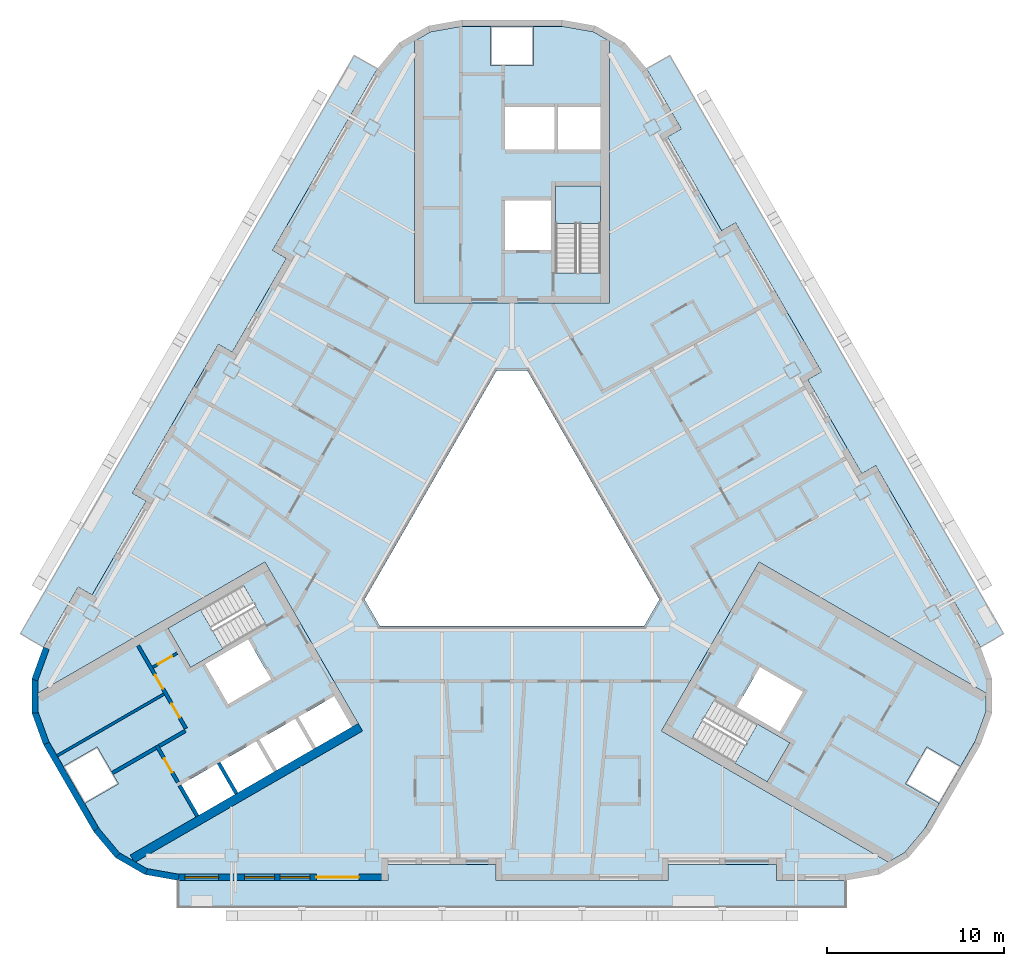
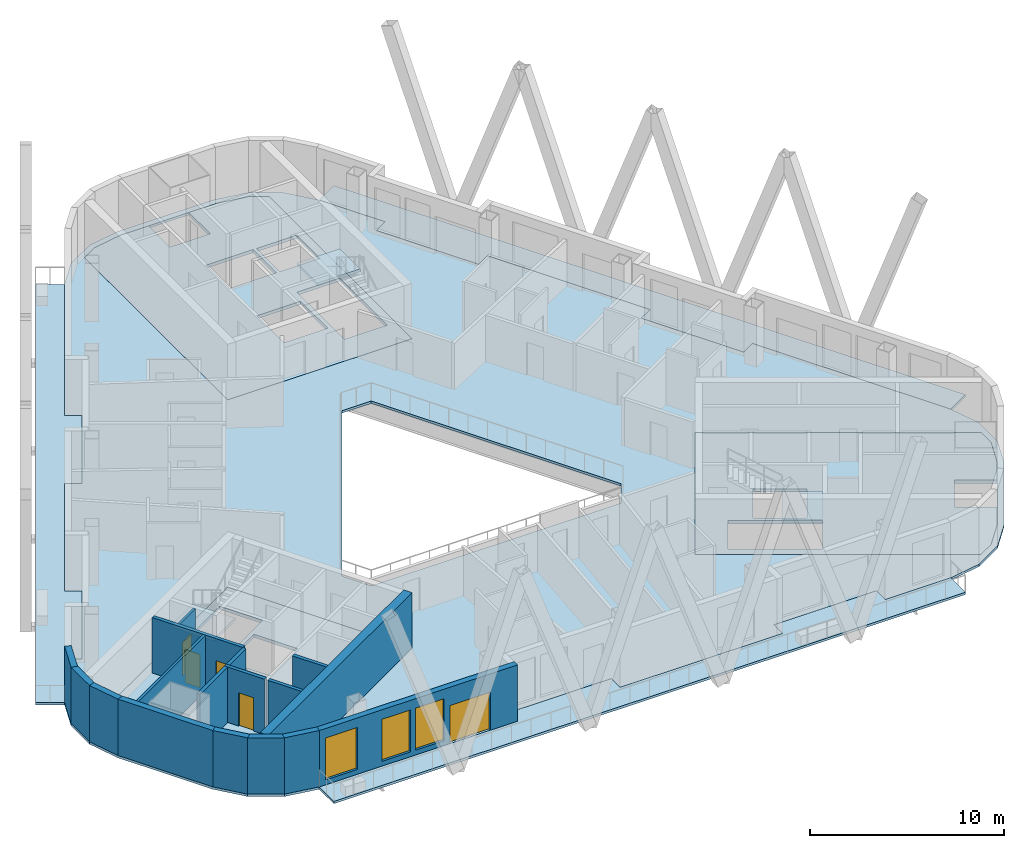
# One storey, part 2 of 14: 17 walls, 10 slabs, 5 doors, 3 windows, 8 openings, 3 elements without a shape of their own.
"""IFC4 building model written with IfcOpenShell, lengths in metres."""

from ifc_helpers import new_model, si_unit, direction, frame, frame_2d, origin, place, context, subcontext, project, spatial, polyline, rectangle, outline, extrude, material, layer, layer_set, type_object, element, fill, aggregate, save


model = new_model("IFC4")

# Units and contexts
model_context = context("Model", 3, precision=1e-05, world=origin(), true_north=direction((0.0, 1.0)))
body_context = subcontext(model_context, "Body", "Model", "MODEL_VIEW")
ifc_project = project(units=[si_unit("LENGTHUNIT", "METRE"), si_unit("AREAUNIT", "SQUARE_METRE"), si_unit("VOLUMEUNIT", "CUBIC_METRE"), si_unit("PLANEANGLEUNIT", "RADIAN"), si_unit("MASSUNIT", "GRAM", prefix="KILO")], contexts=[model_context])

# Site, building, storey
site_placement = place(None, origin())
site = spatial("IfcSite", under=ifc_project, at=site_placement, CompositionType="ELEMENT")
building_placement = place(site_placement, origin())
building = spatial("IfcBuilding", under=site, at=building_placement, Name="Apuvela Tower Hotel", CompositionType="ELEMENT")
storey_placement = place(building_placement, frame((0.0, 0.0, 202.10009765625)))
storey = spatial("IfcBuildingStorey", under=building, at=storey_placement, Name="L49", CompositionType="ELEMENT", Elevation=202.10009765625)

# Slabs
ifc_material_1 = material(Name="Concrete C50/60", Category="concrete")
ifc_layer_1 = layer(ifc_material_1, 0.199951171875)
ifc_layer_set_1 = layer_set([ifc_layer_1], Name="COR-FLOOR-200")
slab_type_1 = type_object("IfcSlabType", Name="COR-FLOOR-200", PredefinedType="FLOOR", material=ifc_layer_set_1)
slab_1_placement = place(storey_placement, frame((0.0, 0.0, -0.2001953125)))
element("IfcSlab", 1, at=slab_1_placement, inside=storey, type_object=slab_type_1, Name="Core floor N", PredefinedType="FLOOR", context=body_context, shape_type="SweptSolid", body=[
    extrude(outline(polyline([(5.5, 27.668212890625), (4.588623046875, 28.1943359375), (2.85498046875, 28.5), (1.199951171875, 28.5), (1.199951171875, 26.300048828125), (-1.199951171875, 26.300048828125), (-1.199951171875, 28.5), (-2.85498046875, 28.5), (-4.588623046875, 28.1943359375), (-5.5, 27.668212890625), (-5.5, 12.89990234375), (5.5, 12.89990234375), (5.5, 27.668212890625)]), holes=[polyline([(5.0, 14.60595703125), (2.449951171875, 14.60595703125), (2.449951171875, 19.5), (5.0, 19.5), (5.0, 14.60595703125)]), polyline([(2.199951171875, 15.89990234375), (-0.39990234375, 15.89990234375), (-0.39990234375, 18.699951171875), (2.199951171875, 18.699951171875), (2.199951171875, 15.89990234375)]), polyline([(5.0, 21.550048828125), (2.60009765625, 21.550048828125), (2.60009765625, 23.949951171875), (5.0, 23.949951171875), (5.0, 21.550048828125)]), polyline([(2.39990234375, 21.550048828125), (-0.39990234375, 21.550048828125), (-0.39990234375, 23.949951171875), (2.39990234375, 23.949951171875), (2.39990234375, 21.550048828125)])]), origin(), (0.0, 0.0, 1.0), 0.2001953125),
])
slab_2_placement = place(storey_placement, frame((0.0, 0.0, -0.2001953125)))
element("IfcSlab", 2, at=slab_2_placement, inside=storey, type_object=slab_type_1, Name="Core floor SW", PredefinedType="FLOOR", context=body_context, shape_type="SweptSolid", body=[
    extrude(outline(polyline([(-26.711181640625, -9.07080078125), (-26.711181640625, -10.123291015625), (-26.109375, -11.77734375), (-25.28173828125, -13.210693359375), (-23.37646484375, -12.11083984375), (-22.176513671875, -14.189208984375), (-24.081787109375, -15.289306640625), (-23.254150390625, -16.72265625), (-22.122802734375, -18.071044921875), (-21.211181640625, -18.59716796875), (-8.421630859375, -11.213134765625), (-13.921630859375, -1.68701171875), (-26.711181640625, -9.07080078125)]), holes=[polyline([(-10.01806640625, -9.248046875), (-9.01806640625, -10.97998046875), (-11.044677734375, -12.150146484375), (-12.044677734375, -10.418212890625), (-10.01806640625, -9.248046875)]), polyline([(-14.244384765625, -11.68798828125), (-12.2177734375, -10.51806640625), (-11.2177734375, -12.25), (-13.244384765625, -13.420166015625), (-14.244384765625, -11.68798828125)]), polyline([(-19.387451171875, -5.419921875), (-15.149169921875, -2.972900390625), (-13.874267578125, -5.18115234375), (-18.112548828125, -7.628173828125), (-19.387451171875, -5.419921875)]), polyline([(-14.869873046875, -6.044677734375), (-13.56982421875, -8.29638671875), (-15.99462890625, -9.6962890625), (-17.294677734375, -7.444580078125), (-14.869873046875, -6.044677734375)]), polyline([(-16.444091796875, -12.9580078125), (-14.41748046875, -11.7880859375), (-13.41748046875, -13.52001953125), (-15.444091796875, -14.690185546875), (-16.444091796875, -12.9580078125)]), polyline([(-18.643798828125, -14.22802734375), (-16.6171875, -13.05810546875), (-15.6171875, -14.7900390625), (-17.643798828125, -15.960205078125), (-18.643798828125, -14.22802734375)])]), origin(), (0.0, 0.0, 1.0), 0.2001953125),
])
slab_3_placement = place(storey_placement, frame((0.0, 0.0, -0.2001953125)))
element("IfcSlab", 3, at=slab_3_placement, inside=storey, type_object=slab_type_1, Name="Core floor SE", PredefinedType="FLOOR", context=body_context, shape_type="SweptSolid", body=[
    extrude(outline(polyline([(21.211181640625, -18.59716796875), (22.122802734375, -18.071044921875), (23.254150390625, -16.72265625), (24.081787109375, -15.289306640625), (22.176513671875, -14.189208984375), (23.37646484375, -12.11083984375), (25.28173828125, -13.210693359375), (26.109375, -11.77734375), (26.711181640625, -10.123291015625), (26.711181640625, -9.07080078125), (13.921630859375, -1.68701171875), (8.421630859375, -11.213134765625), (21.211181640625, -18.59716796875)]), holes=[polyline([(11.42431640625, -9.4248046875), (15.66259765625, -11.871826171875), (14.387451171875, -14.080078125), (10.149169921875, -11.633056640625), (11.42431640625, -9.4248046875)]), polyline([(13.9697265625, -7.603515625), (16.394775390625, -9.003662109375), (15.0947265625, -11.25537109375), (12.669921875, -9.855224609375), (13.9697265625, -7.603515625)])]), origin(), (0.0, 0.0, 1.0), 0.2001953125),
])

# Stair, slab
stair_type = type_object("IfcStairType", Name="COR-STAIR-22R", PredefinedType="HALF_TURN_STAIR", material=ifc_material_1)
stair_1_placement = place(storey_placement, origin())
stair_1 = element("IfcStair", 4, at=stair_1_placement, inside=storey, type_object=stair_type, Name="L49 Exit stair ST1", PredefinedType="HALF_TURN_STAIR")
ifc_layer_2 = layer(ifc_material_1, 0.199951171875)
ifc_layer_set_2 = layer_set([ifc_layer_2], Name="COR-LANDING-200")
slab_type_2 = type_object("IfcSlabType", Name="COR-LANDING-200", PredefinedType="LANDING", material=ifc_layer_set_2)
slab_4_placement = place(storey_placement, frame((0.0, 0.0, 1.64990234375)))
slab_4 = element("IfcSlab", 5, at=slab_4_placement, type_object=slab_type_2, Name="ST1 landing 1", PredefinedType="LANDING", context=body_context, shape_type="SweptSolid", body=[
    extrude(outline(polyline([(5.0, 17.39404296875), (5.0, 19.5), (2.449951171875, 19.5), (2.449951171875, 17.39404296875), (5.0, 17.39404296875)])), origin(), (0.0, 0.0, 1.0), 0.199951171875),
])
aggregate(stair_1, [slab_4])

stair_2_placement = place(storey_placement, origin())
stair_2 = element("IfcStair", 6, at=stair_2_placement, inside=storey, type_object=stair_type, Name="L49 Exit stair ST2", PredefinedType="HALF_TURN_STAIR")
slab_5_placement = place(storey_placement, frame((0.0, 0.0, 1.64990234375)))
slab_5 = element("IfcSlab", 7, at=slab_5_placement, type_object=slab_type_2, Name="ST2 landing 1", PredefinedType="LANDING", context=body_context, shape_type="SweptSolid", body=[
    extrude(outline(polyline([(-17.563720703125, -4.366943359375), (-19.387451171875, -5.419921875), (-18.112548828125, -7.628173828125), (-16.28857421875, -6.5751953125), (-17.563720703125, -4.366943359375)])), origin(), (0.0, 0.0, 1.0), 0.199951171875),
])
aggregate(stair_2, [slab_5])

stair_3_placement = place(storey_placement, origin())
stair_3 = element("IfcStair", 8, at=stair_3_placement, inside=storey, type_object=stair_type, Name="L49 Exit stair ST3", PredefinedType="HALF_TURN_STAIR")
slab_6_placement = place(storey_placement, frame((0.0, 0.0, 1.64990234375)))
slab_6 = element("IfcSlab", 9, at=slab_6_placement, type_object=slab_type_2, Name="ST3 landing 1", PredefinedType="LANDING", context=body_context, shape_type="SweptSolid", body=[
    extrude(outline(polyline([(12.563720703125, -13.027099609375), (14.387451171875, -14.080078125), (15.66259765625, -11.871826171875), (13.838623046875, -10.81884765625), (12.563720703125, -13.027099609375)])), origin(), (0.0, 0.0, 1.0), 0.199951171875),
])
aggregate(stair_3, [slab_6])

# Slabs
ifc_material_2 = material(Name="Concrete C40/50, fair-faced", Category="concrete")
ifc_layer_3 = layer(ifc_material_2, 0.14990234375)
ifc_layer_set_3 = layer_set([ifc_layer_3], Name="ENV-BALCONY-150")
slab_type_3 = type_object("IfcSlabType", Name="ENV-BALCONY-150", PredefinedType="FLOOR", material=ifc_layer_set_3)
slab_7_placement = place(storey_placement, frame((0.0, 0.0, -0.150146484375)))
element("IfcSlab", 10, at=slab_7_placement, inside=storey, type_object=slab_type_3, Name="Balcony slab S L49", PredefinedType="FLOOR", context=body_context, shape_type="SweptSolid", body=[
    extrude(outline(polyline([(18.82080078125, -21.135009765625), (-18.82080078125, -21.135009765625), (-18.82080078125, -19.625), (-7.0048828125, -19.625), (-7.0048828125, -18.72509765625), (-0.89501953125, -18.72509765625), (-0.89501953125, -19.625), (8.794921875, -19.625), (8.794921875, -18.72509765625), (14.905029296875, -18.72509765625), (14.905029296875, -19.625), (18.82080078125, -19.625), (18.82080078125, -21.135009765625)])), origin(), (0.0, 0.0, 1.0), 0.150146484375),
])
slab_8_placement = place(storey_placement, frame((0.0, 0.0, -0.150146484375)))
element("IfcSlab", 11, at=slab_8_placement, inside=storey, type_object=slab_type_3, Name="Balcony slab NE L49", PredefinedType="FLOOR", context=body_context, shape_type="SweptSolid", body=[
    extrude(outline(polyline([(17.443359375, 9.037353515625), (12.598388671875, 17.42919921875), (11.81884765625, 16.979248046875), (8.763916015625, 22.2705078125), (9.543212890625, 22.720703125), (7.585205078125, 26.11181640625), (8.89306640625, 26.86669921875), (27.7138671875, -5.731689453125), (26.40625, -6.48681640625), (20.498291015625, 3.74609375), (19.71875, 3.2958984375), (16.663818359375, 8.58740234375), (17.443359375, 9.037353515625)])), origin(), (0.0, 0.0, 1.0), 0.150146484375),
])
slab_9_placement = place(storey_placement, frame((0.0, 0.0, -0.150146484375)))
element("IfcSlab", 12, at=slab_9_placement, inside=storey, type_object=slab_type_3, Name="Balcony slab NW L49", PredefinedType="FLOOR", context=body_context, shape_type="SweptSolid", body=[
    extrude(outline(polyline([(-27.7138671875, -5.731689453125), (-8.89306640625, 26.86669921875), (-7.585205078125, 26.11181640625), (-13.4931640625, 15.87890625), (-12.7138671875, 15.428955078125), (-15.768798828125, 10.1376953125), (-16.548095703125, 10.587646484375), (-21.393310546875, 2.19580078125), (-20.61376953125, 1.745849609375), (-23.668701171875, -3.545654296875), (-24.4482421875, -3.095703125), (-26.40625, -6.48681640625), (-27.7138671875, -5.731689453125)])), origin(), (0.0, 0.0, 1.0), 0.150146484375),
])
ifc_material_3 = material(Name="Concrete C35/45", Category="concrete")
ifc_layer_4 = layer(ifc_material_3, 0.14990234375)
ifc_layer_set_4 = layer_set([ifc_layer_4], Name="STR-SLAB 150 floor Concrete C35/45")
slab_type_4 = type_object("IfcSlabType", Name="STR-SLAB 150 floor Concrete C35/45", PredefinedType="FLOOR", material=ifc_layer_set_4)
slab_10_placement = place(storey_placement, frame((0.0, 0.0, -0.150146484375)))
element("IfcSlab", 13, at=slab_10_placement, inside=storey, type_object=slab_type_4, Name="Floor slab S4 L49", PredefinedType="FLOOR", context=body_context, shape_type="SweptSolid", body=[
    extrude(outline(polyline([(-6.3642578125, 27.5732421875), (-4.710205078125, 28.5283203125), (-2.8291015625, 28.860107421875), (2.8291015625, 28.860107421875), (4.710205078125, 28.5283203125), (6.3642578125, 27.5732421875), (7.59228515625, 26.110107421875), (9.550048828125, 22.71875), (8.770751953125, 22.268798828125), (11.82080078125, 16.986083984375), (12.60009765625, 17.43603515625), (17.4501953125, 9.035400390625), (16.670654296875, 8.58544921875), (19.720703125, 3.302734375), (20.5, 3.752685546875), (26.407958984375, -6.47998046875), (27.061279296875, -8.27490234375), (27.061279296875, -10.18505859375), (26.407958984375, -11.97998046875), (23.5791015625, -16.8798828125), (22.351318359375, -18.34326171875), (20.697021484375, -19.29833984375), (18.81591796875, -19.6298828125), (14.89990234375, -19.6298828125), (14.89990234375, -18.72998046875), (8.800048828125, -18.72998046875), (8.800048828125, -19.6298828125), (-0.89990234375, -19.6298828125), (-0.89990234375, -18.72998046875), (-7.0, -18.72998046875), (-7.0, -19.6298828125), (-18.81591796875, -19.6298828125), (-20.697021484375, -19.29833984375), (-22.351318359375, -18.34326171875), (-23.5791015625, -16.8798828125), (-26.407958984375, -11.97998046875), (-27.061279296875, -10.18505859375), (-27.061279296875, -8.27490234375), (-26.407958984375, -6.47998046875), (-24.4501953125, -3.088623046875), (-23.670654296875, -3.538818359375), (-20.62060546875, 1.743896484375), (-21.400146484375, 2.194091796875), (-16.550048828125, 10.594482421875), (-15.7705078125, 10.14453125), (-12.720703125, 15.42724609375), (-13.5, 15.877197265625), (-7.59228515625, 26.110107421875), (-6.3642578125, 27.5732421875)]), holes=[polyline([(0.865966796875, 9.10009765625), (-0.865966796875, 9.10009765625), (-8.313720703125, -3.800048828125), (-7.44775390625, -5.300048828125), (7.44775390625, -5.300048828125), (8.313720703125, -3.800048828125), (0.865966796875, 9.10009765625)]), polyline([(-5.5, 12.89990234375), (-5.5, 27.668212890625), (-4.588623046875, 28.1943359375), (-2.85498046875, 28.5), (2.85498046875, 28.5), (4.588623046875, 28.1943359375), (5.5, 27.668212890625), (5.5, 12.89990234375), (-5.5, 12.89990234375)]), polyline([(-8.421630859375, -11.213134765625), (-21.211181640625, -18.59716796875), (-22.122802734375, -18.071044921875), (-23.254150390625, -16.72265625), (-26.109375, -11.77734375), (-26.711181640625, -10.123291015625), (-26.711181640625, -9.07080078125), (-13.921630859375, -1.68701171875), (-8.421630859375, -11.213134765625)]), polyline([(13.921630859375, -1.68701171875), (26.711181640625, -9.07080078125), (26.711181640625, -10.123291015625), (26.109375, -11.77734375), (23.254150390625, -16.72265625), (22.122802734375, -18.071044921875), (21.211181640625, -18.59716796875), (8.421630859375, -11.213134765625), (13.921630859375, -1.68701171875)])]), origin(), (0.0, 0.0, 1.0), 0.150146484375),
])

# Wall
ifc_layer_5 = layer(ifc_material_1, 0.5)
ifc_layer_set_5 = layer_set([ifc_layer_5], Name="COR-WALL-CORE-500")
wall_type_1 = type_object("IfcWallType", Name="COR-WALL-CORE-500", PredefinedType="SHEAR", material=ifc_layer_set_5)
wall_1_placement = place(storey_placement, frame((-8.546630859375, -10.99658203125, 0.0), z_axis=(0.0, 0.0, 1.0), x_axis=(-0.866025009528, -0.500000682871, 0.0)))
element("IfcWall", 14, at=wall_1_placement, inside=storey, type_object=wall_type_1, Name="Core wall SW", PredefinedType="SHEAR", context=body_context, shape_type="SweptSolid", body=[
    extrude(rectangle(XDim=14.8369140625, YDim=0.5, at=frame_2d((7.41845703125, 0.0))), origin(), (0.0, 0.0, 1.0), 3.5),
])

# Wall, opening, door
ifc_material_4 = material(Name="Blockwork 150 mm plastered", Category="masonry")
ifc_layer_6 = layer(ifc_material_4, 0.14990234375)
ifc_layer_set_6 = layer_set([ifc_layer_6], Name="COR-WALL-PART-150")
wall_type_2 = type_object("IfcWallType", Name="COR-WALL-PART-150", PredefinedType="PARTITIONING", material=ifc_layer_set_6)
wall_2_placement = place(storey_placement, frame((-18.866455078125, -6.822265625, 0.0), z_axis=(0.0, 0.0, 1.0), x_axis=(-0.866028054938, -0.499995408039, 0.0)))
wall_2 = element("IfcWall", 15, at=wall_2_placement, inside=storey, type_object=wall_type_2, Name="Partition SW", PredefinedType="PARTITIONING", context=body_context, shape_type="SweptSolid", body=[
    extrude(rectangle(XDim=1.60009765625, YDim=0.14990234375, at=frame_2d((0.800048828125, 0.0))), origin(), (0.0, 0.0, 1.0), 3.5),
])
opening_1_placement = place(wall_2_placement, frame((0.35009765625, 0.0, 0.0)))
opening_1 = element("IfcOpeningElement", 16, at=opening_1_placement, cuts=wall_2, Name="Opening W-RD", PredefinedType="OPENING", context=body_context, shape_type="SweptSolid", body=[
    extrude(rectangle(XDim=0.89990234375, YDim=2.10009765625, at=frame_2d((0.449951171875, 1.050048828125))), frame((0.0, 0.0849609375, 0.0), z_axis=(0.0, -1.0, 0.0), x_axis=(1.0, 0.0, 0.0)), (0.0, 0.0, 1.0), 0.169921875),
])
ifc_material_5 = material(Name="Steel access door, powder coated", Category="steel")
door_type_1 = type_object("IfcDoorType", Name="COR-RD-900", OperationType="NOTDEFINED", PredefinedType="DOOR", material=ifc_material_5)
door_1_placement = place(opening_1_placement, frame((0.89990234375, 0.0, 0.0), z_axis=(0.0, 0.0, 1.0), x_axis=(-1.0, 0.0, 0.0)))
door_1 = element("IfcDoor", 17, at=door_1_placement, inside=storey, type_object=door_type_1, Name="Riser door W-RD", OperationType="SINGLE_SWING_RIGHT", OverallHeight=2.10009765625, OverallWidth=0.89990234375, PredefinedType="DOOR", context=body_context, shape_type="SweptSolid", body=[
    extrude(rectangle(XDim=0.89990234375, YDim=2.10009765625, at=frame_2d((0.449951171875, 1.050048828125))), frame((0.0, 0.02490234375, 0.0), z_axis=(0.0, -1.0, 0.0), x_axis=(1.0, 0.0, 0.0)), (0.0, 0.0, 1.0), 0.050048828125),
])
fill(opening_1, door_1)

# Wall
wall_3_placement = place(storey_placement, frame((-19.61279296875, -9.129638671875, 0.0), z_axis=(0.0, 0.0, 1.0), x_axis=(-0.866031734426, -0.499989034847, 0.0)))
element("IfcWall", 18, at=wall_3_placement, inside=storey, type_object=wall_type_2, Name="Partition SW", PredefinedType="PARTITIONING", context=body_context, shape_type="SweptSolid", body=[
    extrude(rectangle(XDim=6.949951171875, YDim=0.14990234375, at=frame_2d((3.47509765625, 0.0))), origin(), (0.0, 0.0, 1.0), 3.5),
])

# Wall, openings, doors
ifc_material_6 = material(Name="Blockwork 200 mm plastered", Category="masonry")
ifc_layer_7 = layer(ifc_material_6, 0.199951171875)
ifc_layer_set_7 = layer_set([ifc_layer_7], Name="COR-WALL-PART-200")
wall_type_3 = type_object("IfcWallType", Name="COR-WALL-PART-200", PredefinedType="PARTITIONING", material=ifc_layer_set_7)
wall_4_placement = place(storey_placement, frame((-21.076171875, -6.39501953125, 0.0), z_axis=(0.0, 0.0, 1.0), x_axis=(0.50001468107, -0.866016927499, 0.0)))
wall_4 = element("IfcWall", 19, at=wall_4_placement, inside=storey, type_object=wall_type_3, Name="Partition SW", PredefinedType="PARTITIONING", context=body_context, shape_type="SweptSolid", body=[
    extrude(rectangle(XDim=5.399658203125, YDim=0.199951171875, at=frame_2d((2.69970703125, 0.0))), origin(), (0.0, 0.0, 1.0), 3.5),
])
opening_2_placement = place(wall_4_placement, frame((1.91259765625, 0.0, 0.0)))
opening_2 = element("IfcOpeningElement", 20, at=opening_2_placement, cuts=wall_4, Name="Opening W-RS1", PredefinedType="OPENING", context=body_context, shape_type="SweptSolid", body=[
    extrude(rectangle(XDim=0.89990234375, YDim=2.10009765625, at=frame_2d((0.449951171875, 1.050048828125))), frame((0.0, 0.10986328125, 0.0), z_axis=(0.0, -1.0, 0.0), x_axis=(1.0, 0.0, 0.0)), (0.0, 0.0, 1.0), 0.219970703125),
])
opening_3_placement = place(wall_4_placement, frame((3.78759765625, 0.0, 0.0)))
opening_3 = element("IfcOpeningElement", 21, at=opening_3_placement, cuts=wall_4, Name="Opening W-RS2", PredefinedType="OPENING", context=body_context, shape_type="SweptSolid", body=[
    extrude(rectangle(XDim=0.89990234375, YDim=2.10009765625, at=frame_2d((0.449951171875, 1.050048828125))), frame((0.0, 0.10986328125, 0.0), z_axis=(0.0, -1.0, 0.0), x_axis=(1.0, 0.0, 0.0)), (0.0, 0.0, 1.0), 0.219970703125),
])
ifc_material_7 = material(Name="Steel fire door, powder coated", Category="steel")
door_type_2 = type_object("IfcDoorType", Name="COR-DR-900", OperationType="NOTDEFINED", PredefinedType="DOOR", material=ifc_material_7)
door_2_placement = place(opening_2_placement, frame((0.89990234375, 0.0, 0.0), z_axis=(0.0, 0.0, 1.0), x_axis=(-1.0, 0.0, 0.0)))
door_2 = element("IfcDoor", 22, at=door_2_placement, inside=storey, type_object=door_type_2, Name="Store door W-RS1", OperationType="SINGLE_SWING_LEFT", OverallHeight=2.10009765625, OverallWidth=0.89990234375, PredefinedType="DOOR", context=body_context, shape_type="SweptSolid", body=[
    extrude(rectangle(XDim=0.89990234375, YDim=2.10009765625, at=frame_2d((0.449951171875, 1.050048828125))), frame((0.0, 0.02490234375, 0.0), z_axis=(0.0, -1.0, 0.0), x_axis=(1.0, 0.0, 0.0)), (0.0, 0.0, 1.0), 0.050048828125),
])
fill(opening_2, door_2)
door_3_placement = place(opening_3_placement, frame((0.89990234375, 0.0, 0.0), z_axis=(0.0, 0.0, 1.0), x_axis=(-1.0, 0.0, 0.0)))
door_3 = element("IfcDoor", 23, at=door_3_placement, inside=storey, type_object=door_type_2, Name="Store door W-RS2", OperationType="SINGLE_SWING_LEFT", OverallHeight=2.10009765625, OverallWidth=0.89990234375, PredefinedType="DOOR", context=body_context, shape_type="SweptSolid", body=[
    extrude(rectangle(XDim=0.89990234375, YDim=2.10009765625, at=frame_2d((0.449951171875, 1.050048828125))), frame((0.0, 0.02490234375, 0.0), z_axis=(0.0, -1.0, 0.0), x_axis=(1.0, 0.0, 0.0)), (0.0, 0.0, 1.0), 0.050048828125),
])
fill(opening_3, door_3)

# Wall, opening, door
ifc_layer_8 = layer(ifc_material_1, 0.199951171875)
ifc_layer_set_8 = layer_set([ifc_layer_8], Name="COR-WALL-SHAFT-200")
wall_type_4 = type_object("IfcWallType", Name="COR-WALL-SHAFT-200", PredefinedType="SHEAR", material=ifc_layer_set_8)
wall_5_placement = place(storey_placement, frame((-20.030517578125, -12.0263671875, 0.0), z_axis=(0.0, 0.0, 1.0), x_axis=(0.500033551112, -0.866006032174, 0.0)))
wall_5 = element("IfcWall", 24, at=wall_5_placement, inside=storey, type_object=wall_type_4, Name="Shaft wall SW", PredefinedType="SHEAR", context=body_context, shape_type="SweptSolid", body=[
    extrude(rectangle(XDim=2.400146484375, YDim=0.199951171875, at=frame_2d((1.2001953125, 0.0))), origin(), (0.0, 0.0, 1.0), 3.5),
])
opening_4_placement = place(wall_5_placement, frame((0.85009765625, 0.0, 0.0)))
opening_4 = element("IfcOpeningElement", 25, at=opening_4_placement, cuts=wall_5, Name="Opening W-REP", PredefinedType="OPENING", context=body_context, shape_type="SweptSolid", body=[
    extrude(rectangle(XDim=0.89990234375, YDim=2.10009765625, at=frame_2d((0.449951171875, 1.050048828125))), frame((0.0, 0.10986328125, 0.0), z_axis=(0.0, -1.0, 0.0), x_axis=(1.0, 0.0, 0.0)), (0.0, 0.0, 1.0), 0.219970703125),
])
door_4_placement = place(opening_4_placement, frame((0.89990234375, 0.0, 0.0), z_axis=(0.0, 0.0, 1.0), x_axis=(-1.0, 0.0, 0.0)))
door_4 = element("IfcDoor", 26, at=door_4_placement, inside=storey, type_object=door_type_2, Name="Store door W-REP", OperationType="SINGLE_SWING_LEFT", OverallHeight=2.10009765625, OverallWidth=0.89990234375, PredefinedType="DOOR", context=body_context, shape_type="SweptSolid", body=[
    extrude(rectangle(XDim=0.89990234375, YDim=2.10009765625, at=frame_2d((0.449951171875, 1.050048828125))), frame((0.0, 0.02490234375, 0.0), z_axis=(0.0, -1.0, 0.0), x_axis=(1.0, 0.0, 0.0)), (0.0, 0.0, 1.0), 0.050048828125),
])
fill(opening_4, door_4)

# Walls
wall_6_placement = place(storey_placement, frame((-18.412841796875, -11.2080078125, 0.0), z_axis=(0.0, 0.0, 1.0), x_axis=(-0.866038183914, -0.499977863513, 0.0)))
element("IfcWall", 27, at=wall_6_placement, inside=storey, type_object=wall_type_4, Name="Shaft wall SW", PredefinedType="SHEAR", context=body_context, shape_type="SweptSolid", body=[
    extrude(rectangle(XDim=1.7099609375, YDim=0.199951171875, at=frame_2d((0.85498046875, 0.0))), origin(), (0.0, 0.0, 1.0), 3.5),
])
for number, where, z_axis, x_axis, name in (
    (28, (-16.530517578125, -13.008056640625, 0.0), (0.0, 0.0, 1.0), (0.50002537861, -0.866010750942, 0.0), "Shaft wall SW"),
    (29, (-18.73046875, -14.278076171875, 0.0), (0.0, 0.0, 1.0), (0.50002537861, -0.866010750942, 0.0), "Shaft wall SW"),
):
    element("IfcWall", number, at=place(storey_placement, frame(where, z_axis=z_axis, x_axis=x_axis)), inside=storey, type_object=wall_type_4, Name=name, PredefinedType="SHEAR", context=body_context, shape_type="SweptSolid", body=[
        extrude(rectangle(XDim=2.0, YDim=0.199951171875, at=frame_2d((1.0, 0.0))), origin(), (0.0, 0.0, 1.0), 3.5),
    ])
wall_7_placement = place(storey_placement, frame((-20.06689453125, -12.1630859375, 0.0), z_axis=(0.0, 0.0, 1.0), x_axis=(-0.866055327414, -0.49994816717, 0.0)))
element("IfcWall", 30, at=wall_7_placement, inside=storey, type_object=wall_type_4, Name="Shaft wall SW", PredefinedType="SHEAR", context=body_context, shape_type="SweptSolid", body=[
    extrude(rectangle(XDim=2.840087890625, YDim=0.199951171875, at=frame_2d((1.419921875, 0.0))), origin(), (0.0, 0.0, 1.0), 3.5),
])
ifc_material_8 = material(Name="Concrete C40/50, dark pigmented precast panel", Category="concrete")
ifc_layer_9 = layer(ifc_material_8, 0.35009765625)
ifc_layer_set_9 = layer_set([ifc_layer_9], Name="ENV-WALL-350")
wall_type_5 = type_object("IfcWallType", Name="ENV-WALL-350", PredefinedType="SOLIDWALL", material=ifc_layer_set_9)
for number, where, z_axis, x_axis, name in (
    (31, (-26.24365234375, -6.539794921875, 0.0), (0.0, 0.0, 1.0), (-0.342030395486, -0.939688889242, 0.0), "External wall L49-10"),
    (32, (-26.88623046875, -8.27490234375, 0.0), (0.0, 0.0, 1.0), (0.0, -1.0, 0.0), "External wall L49-11"),
    (33, (-26.89697265625, -10.125244140625, 0.0), (0.0, 0.0, 1.0), (0.342030395486, -0.939688889242, 0.0), "External wall L49-12"),
):
    element("IfcWall", number, at=place(storey_placement, frame(where, z_axis=z_axis, x_axis=x_axis)), inside=storey, type_object=wall_type_5, Name=name, PredefinedType="SOLIDWALL", context=body_context, shape_type="SweptSolid", body=[
        extrude(rectangle(XDim=1.91015625, YDim=0.35009765625, at=frame_2d((0.955078125, 0.0))), origin(), (0.0, 0.0, 1.0), 3.5498046875),
    ])
wall_8_placement = place(storey_placement, frame((-26.256591796875, -11.892578125, 0.0), z_axis=(0.0, 0.0, 1.0), x_axis=(0.500018773155, -0.866014564827, 0.0)))
element("IfcWall", 34, at=wall_8_placement, inside=storey, type_object=wall_type_5, Name="External wall L49-13", PredefinedType="SOLIDWALL", context=body_context, shape_type="SweptSolid", body=[
    extrude(rectangle(XDim=5.657958984375, YDim=0.35009765625, at=frame_2d((2.8291015625, 0.0))), origin(), (0.0, 0.0, 1.0), 3.5498046875),
])
for number, where, z_axis, x_axis, name in (
    (35, (-23.44482421875, -16.767578125, 0.0), (0.0, 0.0, 1.0), (0.642733291068, -0.76609001857, 0.0), "External wall L49-14"),
    (36, (-22.263671875, -18.191650390625, 0.0), (0.0, 0.0, 1.0), (0.866000389056, -0.500043324278, 0.0), "External wall L49-15"),
):
    element("IfcWall", number, at=place(storey_placement, frame(where, z_axis=z_axis, x_axis=x_axis)), inside=storey, type_object=wall_type_5, Name=name, PredefinedType="SOLIDWALL", context=body_context, shape_type="SweptSolid", body=[
        extrude(rectangle(XDim=1.909912109375, YDim=0.35009765625, at=frame_2d((0.955078125, 0.0))), origin(), (0.0, 0.0, 1.0), 3.5498046875),
    ])
wall_9_placement = place(storey_placement, frame((-20.66650390625, -19.1259765625, 0.0), z_axis=(0.0, 0.0, 1.0), x_axis=(0.984798995425, -0.173697837091, 0.0)))
element("IfcWall", 37, at=wall_9_placement, inside=storey, type_object=wall_type_5, Name="External wall L49-16", PredefinedType="SOLIDWALL", context=body_context, shape_type="SweptSolid", body=[
    extrude(rectangle(XDim=1.91015625, YDim=0.35009765625, at=frame_2d((0.955078125, 0.0))), origin(), (0.0, 0.0, 1.0), 3.5498046875),
])

# Wall, openings, door, windows
wall_10_placement = place(storey_placement, frame((-18.81591796875, -19.455078125, 0.0), z_axis=(0.0, 0.0, 1.0), x_axis=(1.0, 0.0, 0.0)))
wall_10 = element("IfcWall", 38, at=wall_10_placement, inside=storey, type_object=wall_type_5, Name="External wall L49-17", PredefinedType="SOLIDWALL", context=body_context, shape_type="SweptSolid", body=[
    extrude(rectangle(XDim=11.81591796875, YDim=0.35009765625, at=frame_2d((5.907958984375, 0.0))), origin(), (0.0, 0.0, 1.0), 3.5498046875),
])
opening_5_placement = place(wall_10_placement, frame((0.380615234375, 0.0, 0.300048828125)))
opening_5 = element("IfcOpeningElement", 39, at=opening_5_placement, cuts=wall_10, Name="Opening WN19", PredefinedType="OPENING", context=body_context, shape_type="SweptSolid", body=[
    extrude(rectangle(XDim=1.89990234375, YDim=2.64990234375, at=frame_2d((0.949951171875, 1.324951171875))), frame((0.0, 0.18505859375, 0.0), z_axis=(0.0, -1.0, 0.0), x_axis=(1.0, 0.0, 0.0)), (0.0, 0.0, 1.0), 0.3701171875),
])
opening_6_placement = place(wall_10_placement, frame((7.790283203125, 0.0, 0.0)))
opening_6 = element("IfcOpeningElement", 40, at=opening_6_placement, cuts=wall_10, Name="Opening BD24", PredefinedType="OPENING", context=body_context, shape_type="SweptSolid", body=[
    extrude(rectangle(XDim=2.39990234375, YDim=2.39990234375, at=frame_2d((1.199951171875, 1.199951171875))), frame((0.0, 0.18505859375, 0.0), z_axis=(0.0, -1.0, 0.0), x_axis=(1.0, 0.0, 0.0)), (0.0, 0.0, 1.0), 0.3701171875),
])
opening_7_placement = place(wall_10_placement, frame((3.740966796875, 0.0, 0.300048828125)))
opening_7 = element("IfcOpeningElement", 41, at=opening_7_placement, cuts=wall_10, Name="Opening WN17", PredefinedType="OPENING", context=body_context, shape_type="SweptSolid", body=[
    extrude(rectangle(XDim=1.699951171875, YDim=2.64990234375, at=frame_2d((0.85009765625, 1.324951171875))), frame((0.0, 0.18505859375, 0.0), z_axis=(0.0, -1.0, 0.0), x_axis=(1.0, 0.0, 0.0)), (0.0, 0.0, 1.0), 0.3701171875),
])
opening_8_placement = place(wall_10_placement, frame((5.740966796875, 0.0, 0.300048828125)))
opening_8 = element("IfcOpeningElement", 42, at=opening_8_placement, cuts=wall_10, Name="Opening WN17", PredefinedType="OPENING", context=body_context, shape_type="SweptSolid", body=[
    extrude(rectangle(XDim=1.699951171875, YDim=2.64990234375, at=frame_2d((0.85009765625, 1.324951171875))), frame((0.0, 0.18505859375, 0.0), z_axis=(0.0, -1.0, 0.0), x_axis=(1.0, 0.0, 0.0)), (0.0, 0.0, 1.0), 0.3701171875),
])
ifc_material_9 = material(Name="Aluminium 6063-T6, dark bronze anodised frame with dark tinted laminated glass", Category="aluminium")
door_type_3 = type_object("IfcDoorType", Name="ENV-DOOR-BALCONY-2400x2400", OperationType="SLIDING_TO_LEFT", PredefinedType="DOOR", material=ifc_material_9)
door_5_placement = place(opening_6_placement, frame((2.39990234375, 0.0, 0.0), z_axis=(0.0, 0.0, 1.0), x_axis=(-1.0, 0.0, 0.0)))
door_5 = element("IfcDoor", 43, at=door_5_placement, inside=storey, type_object=door_type_3, Name="Balcony door BD24", OperationType="SLIDING_TO_LEFT", OverallHeight=2.39990234375, OverallWidth=2.39990234375, PredefinedType="DOOR", context=body_context, shape_type="SweptSolid", body=[
    extrude(rectangle(XDim=2.39990234375, YDim=2.39990234375, at=frame_2d((1.199951171875, 1.199951171875))), frame((0.0, 0.02490234375, 0.0), z_axis=(0.0, -1.0, 0.0), x_axis=(1.0, 0.0, 0.0)), (0.0, 0.0, 1.0), 0.050048828125),
])
fill(opening_6, door_5)
ifc_material_10 = material(Name="Glass, dark tinted laminated insulated glazing unit", Category="glass")
window_type_1 = type_object("IfcWindowType", Name="ENV-WIN-1700x2650", PartitioningType="SINGLE_PANEL", PredefinedType="WINDOW", material=ifc_material_10)
window_1_placement = place(opening_7_placement, origin())
window_1 = element("IfcWindow", 44, at=window_1_placement, inside=storey, type_object=window_type_1, Name="Window WN17", OverallHeight=2.64990234375, OverallWidth=1.699951171875, PartitioningType="SINGLE_PANEL", PredefinedType="WINDOW", context=body_context, shape_type="SweptSolid", body=[
    extrude(rectangle(XDim=1.699951171875, YDim=2.64990234375, at=frame_2d((0.85009765625, 1.324951171875))), frame((0.0, 0.030029296875, 0.0), z_axis=(0.0, -1.0, 0.0), x_axis=(1.0, 0.0, 0.0)), (0.0, 0.0, 1.0), 0.06005859375),
])
fill(opening_7, window_1)
window_2_placement = place(opening_8_placement, origin())
window_2 = element("IfcWindow", 45, at=window_2_placement, inside=storey, type_object=window_type_1, Name="Window WN17", OverallHeight=2.64990234375, OverallWidth=1.699951171875, PartitioningType="SINGLE_PANEL", PredefinedType="WINDOW", context=body_context, shape_type="SweptSolid", body=[
    extrude(rectangle(XDim=1.699951171875, YDim=2.64990234375, at=frame_2d((0.85009765625, 1.324951171875))), frame((0.0, 0.030029296875, 0.0), z_axis=(0.0, -1.0, 0.0), x_axis=(1.0, 0.0, 0.0)), (0.0, 0.0, 1.0), 0.06005859375),
])
fill(opening_8, window_2)
window_type_2 = type_object("IfcWindowType", Name="ENV-WIN-1900x2650", PartitioningType="SINGLE_PANEL", PredefinedType="WINDOW", material=ifc_material_10)
window_3_placement = place(opening_5_placement, origin())
window_3 = element("IfcWindow", 46, at=window_3_placement, inside=storey, type_object=window_type_2, Name="Window WN19", OverallHeight=2.64990234375, OverallWidth=1.89990234375, PartitioningType="SINGLE_PANEL", PredefinedType="WINDOW", context=body_context, shape_type="SweptSolid", body=[
    extrude(rectangle(XDim=1.89990234375, YDim=2.64990234375, at=frame_2d((0.949951171875, 1.324951171875))), frame((0.0, 0.030029296875, 0.0), z_axis=(0.0, -1.0, 0.0), x_axis=(1.0, 0.0, 0.0)), (0.0, 0.0, 1.0), 0.06005859375),
])
fill(opening_5, window_3)

save(model, "model.ifc")
